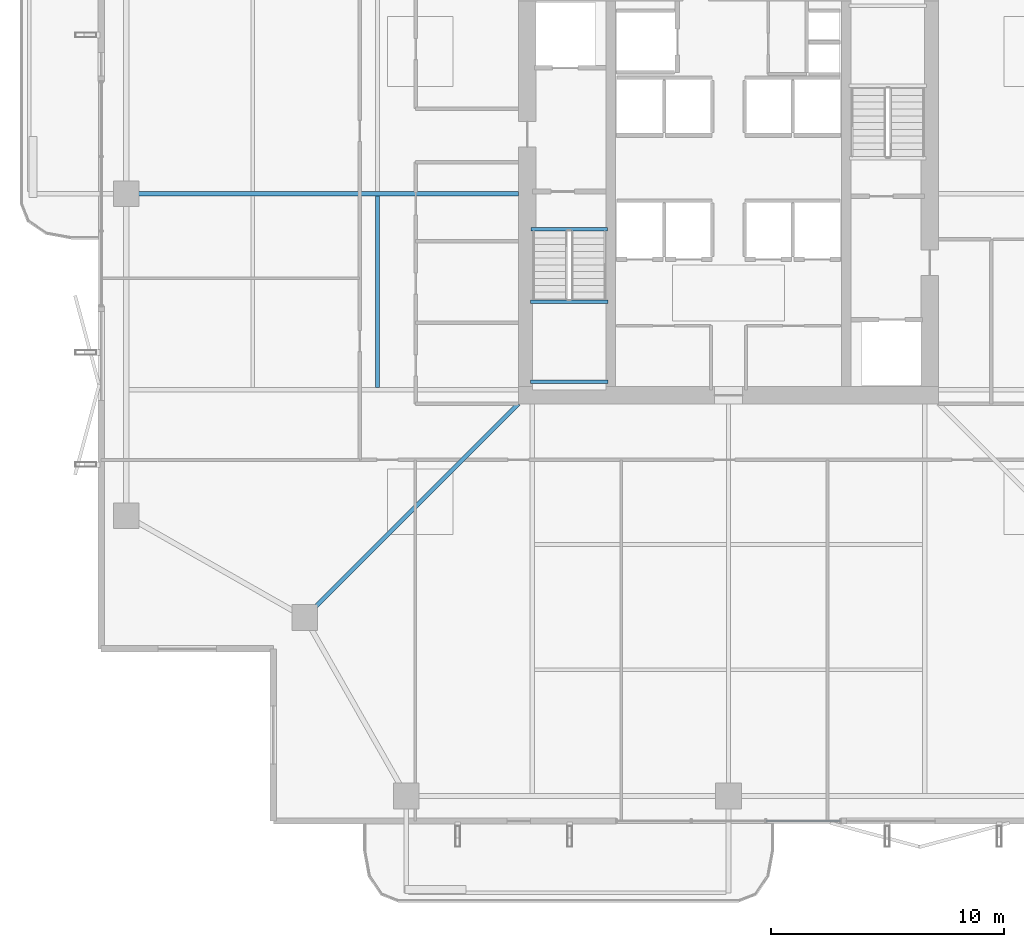
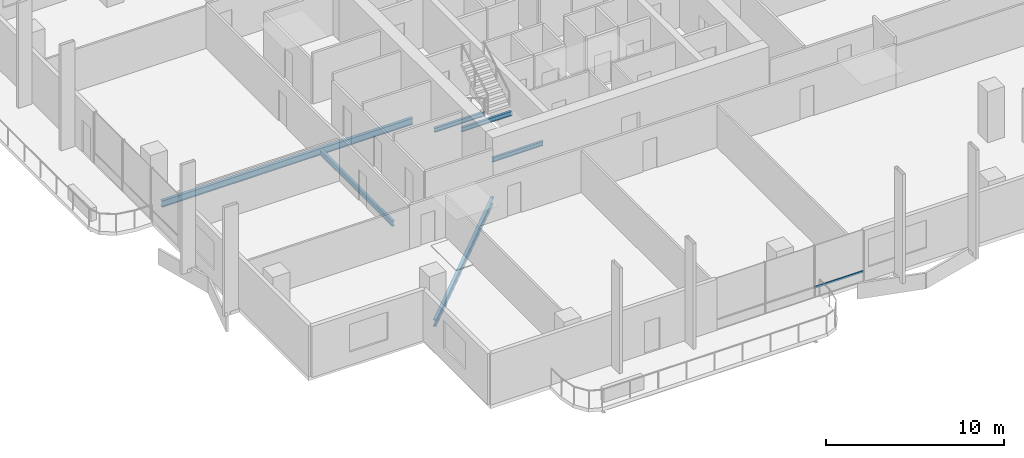
# One storey, part 5 of 24: 6 beams, 1 member, 1 element without a shape of its own.
"""IFC4 building model written with IfcOpenShell, lengths in metres."""

from ifc_helpers import new_model, si_unit, direction, frame, origin, origin_2d, place, context, subcontext, project, spatial, hollow_rectangle, i_section, extrude, material, layer, layer_set, material_profile, profile_set, type_object, element, aggregate, save


model = new_model("IFC4")

# Units and contexts
model_context = context("Model", 3, precision=1e-05, world=origin(), true_north=direction((0.0, 1.0)))
body_context = subcontext(model_context, "Body", "Model", "MODEL_VIEW")
ifc_project = project(units=[si_unit("LENGTHUNIT", "METRE"), si_unit("AREAUNIT", "SQUARE_METRE"), si_unit("VOLUMEUNIT", "CUBIC_METRE"), si_unit("PLANEANGLEUNIT", "RADIAN"), si_unit("MASSUNIT", "GRAM", prefix="KILO")], contexts=[model_context])

# Site, building, storey
site_placement = place(None, origin())
site = spatial("IfcSite", under=ifc_project, at=site_placement, CompositionType="ELEMENT")
building_placement = place(site_placement, origin())
building = spatial("IfcBuilding", under=site, at=building_placement, Name="Belovzor Exchange Tower", CompositionType="ELEMENT")
storey_placement = place(building_placement, frame((0.0, 0.0, 218.699951171875)))
storey = spatial("IfcBuildingStorey", under=building, at=storey_placement, Name="L54", CompositionType="ELEMENT", Elevation=218.699951171875)

# Beams
ifc_material_1 = material(Name="Steel S355", Category="steel")
ifc_material_profile_1 = material_profile(ifc_material_1, i_section(OverallWidth=0.169921875, OverallDepth=0.360107421875, WebThickness=0.008056640625, FlangeThickness=0.0126953125, at=origin_2d()))
ifc_profile_set_1 = profile_set([ifc_material_profile_1], Name="Steel S355")
beam_type_1 = type_object("IfcBeamType", Name="Secondary Infill Floor Joist IPE 360", PredefinedType="BEAM", material=ifc_profile_set_1)
beam_1_placement = place(storey_placement, frame((13.77197265625, 20.4951171875, -0.429931640625), z_axis=(0.0, 1.0, 0.0), x_axis=(-1.0, 0.0, 0.0)))
element("IfcBeam", 1, at=beam_1_placement, inside=storey, type_object=beam_type_1, Name="FJ-360 Secondary Infill Floor Joist IPE 360", PredefinedType="BEAM", context=body_context, shape_type="SweptSolid", body=[
    extrude(i_section(OverallWidth=0.169921875, OverallDepth=0.360107421875, WebThickness=0.008056640625, FlangeThickness=0.0126953125, at=origin_2d()), origin(), (0.0, 0.0, 1.0), 8.2099609375),
])
ifc_material_2 = material(Name="Steel S355", Category="steel")
ifc_material_profile_2 = material_profile(ifc_material_2, i_section(OverallWidth=0.14990234375, OverallDepth=0.300048828125, WebThickness=0.007080078125, FlangeThickness=0.0107421875, at=origin_2d()))
ifc_profile_set_2 = profile_set([ifc_material_profile_2], Name="Steel S355")
beam_type_2 = type_object("IfcBeamType", Name="Secondary Trim Floor Joist IPE 300", PredefinedType="BEAM", material=ifc_profile_set_2)
for number, where, z_axis, x_axis, name in (
    (2, (20.320068359375, 24.179931640625, 1.525146484375), (1.0, 0.0, 0.0), (0.0, 1.0, 0.0), "FJ-300 Secondary Trim Floor Joist IPE 300"),
    (3, (20.320068359375, 20.75, 1.525146484375), (1.0, 0.0, 0.0), (0.0, 1.0, 0.0), "FJ-300 Secondary Trim Floor Joist IPE 300"),
):
    element("IfcBeam", number, at=place(storey_placement, frame(where, z_axis=z_axis, x_axis=x_axis)), inside=storey, type_object=beam_type_2, Name=name, PredefinedType="BEAM", context=body_context, shape_type="SweptSolid", body=[
        extrude(i_section(OverallWidth=0.14990234375, OverallDepth=0.300048828125, WebThickness=0.007080078125, FlangeThickness=0.0107421875, at=origin_2d()), origin(), (0.0, 0.0, 1.0), 3.309814453125),
    ])
beam_2_placement = place(storey_placement, frame((20.340087890625, 27.280029296875, -0.39990234375), z_axis=(1.0, 0.0, 0.0), x_axis=(0.0, 1.0, 0.0)))
element("IfcBeam", 4, at=beam_2_placement, inside=storey, type_object=beam_type_2, Name="FJ-300 Secondary Trim Floor Joist IPE 300", PredefinedType="BEAM", context=body_context, shape_type="SweptSolid", body=[
    extrude(i_section(OverallWidth=0.14990234375, OverallDepth=0.300048828125, WebThickness=0.007080078125, FlangeThickness=0.0107421875, at=origin_2d()), origin(), (0.0, 0.0, 1.0), 3.27001953125),
])

# Curtain wall, member
ifc_material_3 = material(Name="Anodised Aluminium Framing", Category="aluminium")
ifc_layer = layer(ifc_material_3, 0.179931640625)
ifc_layer_set = layer_set([ifc_layer], Name="Anodised Aluminium Framing")
curtain_wall_type = type_object("IfcCurtainWallType", Name="Recessed Loggia Low-Iron Triple-Glazed Curtain Wall", PredefinedType="NOTDEFINED", material=ifc_layer_set)
curtain_wall_placement = place(storey_placement, origin())
curtain_wall = element("IfcCurtainWall", 5, at=curtain_wall_placement, inside=storey, type_object=curtain_wall_type, Name="CW3 Recessed Loggia Low-Iron Triple-Glazed Curtain Wall L54", PredefinedType="NOTDEFINED")
ifc_material_4 = material(Name="Steel S355", Category="steel")
ifc_material_profile_3 = material_profile(ifc_material_4, hollow_rectangle(XDim=0.06005859375, YDim=0.14990234375, WallThickness=0.00390625, at=origin_2d()))
ifc_profile_set_3 = profile_set([ifc_material_profile_3], Name="Steel S355")
member_type = type_object("IfcMemberType", Name="Thermally Broken Curtain Wall Transom 150x60", PredefinedType="USERDEFINED", material=ifc_profile_set_3)
member_placement = place(storey_placement, frame((33.592041015625, 1.929931640625, 0.630126953125), z_axis=(-1.0, 0.0, 0.0), x_axis=(0.0, -1.0, 0.0)))
member = element("IfcMember", 6, at=member_placement, type_object=member_type, Name="CW-T150 Curtain Wall Transom 1", ObjectType="TRANSOM", PredefinedType="USERDEFINED", context=body_context, shape_type="SweptSolid", body=[
    extrude(hollow_rectangle(XDim=0.06005859375, YDim=0.14990234375, WallThickness=0.00390625, at=origin_2d()), origin(), (0.0, 0.0, 1.0), 3.18408203125),
])
aggregate(curtain_wall, [member])

# Beams
ifc_material_5 = material(Name="Steel S355", Category="steel")
ifc_material_profile_4 = material_profile(ifc_material_5, i_section(OverallWidth=0.18994140625, OverallDepth=0.449951171875, WebThickness=0.009521484375, FlangeThickness=0.0146484375, at=origin_2d()))
ifc_profile_set_4 = profile_set([ifc_material_profile_4], Name="Steel S355")
beam_type_3 = type_object("IfcBeamType", Name="Zone 2-4 Radial Composite Floor Beam IPE 450", PredefinedType="BEAM", material=ifc_profile_set_4)
beam_3_placement = place(storey_placement, frame((19.800048828125, 28.800048828125, -0.474853515625), z_axis=(-1.0, 0.0, 0.0), x_axis=(0.0, -1.0, 0.0)))
element("IfcBeam", 7, at=beam_3_placement, inside=storey, type_object=beam_type_3, Name="FB-450 Zone 2-4 Radial Composite Floor Beam IPE 450", PredefinedType="BEAM", context=body_context, shape_type="SweptSolid", body=[
    extrude(i_section(OverallWidth=0.18994140625, OverallDepth=0.449951171875, WebThickness=0.009521484375, FlangeThickness=0.0146484375, at=origin_2d()), origin(), (0.0, 0.0, 1.0), 16.316162109375),
])
beam_4_placement = place(storey_placement, frame((19.800048828125, 19.800048828125, -0.474853515625), z_axis=(-0.707106781187, -0.707106781187, 0.0), x_axis=(0.707106781187, -0.707106781187, 0.0)))
element("IfcBeam", 8, at=beam_4_placement, inside=storey, type_object=beam_type_3, Name="FB-450 Zone 2-4 Radial Composite Floor Beam IPE 450", PredefinedType="BEAM", context=body_context, shape_type="SweptSolid", body=[
    extrude(i_section(OverallWidth=0.18994140625, OverallDepth=0.449951171875, WebThickness=0.009521484375, FlangeThickness=0.0146484375, at=origin_2d()), origin(), (0.0, 0.0, 1.0), 12.551025390625),
])

save(model, "model.ifc")
